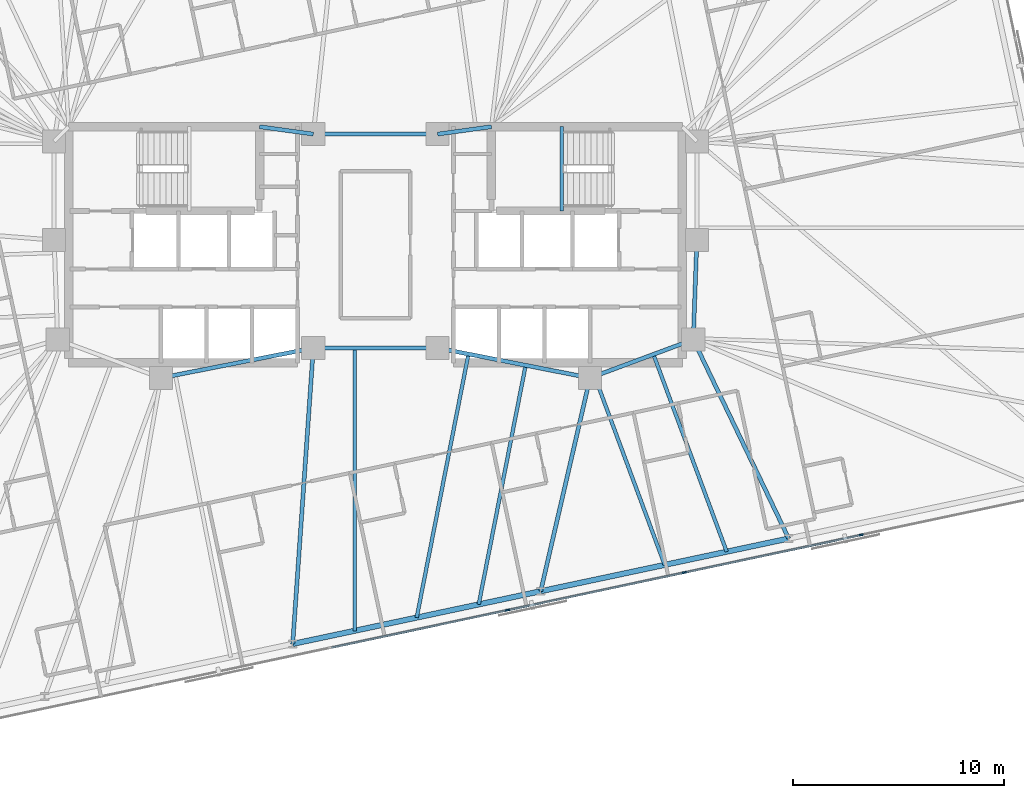
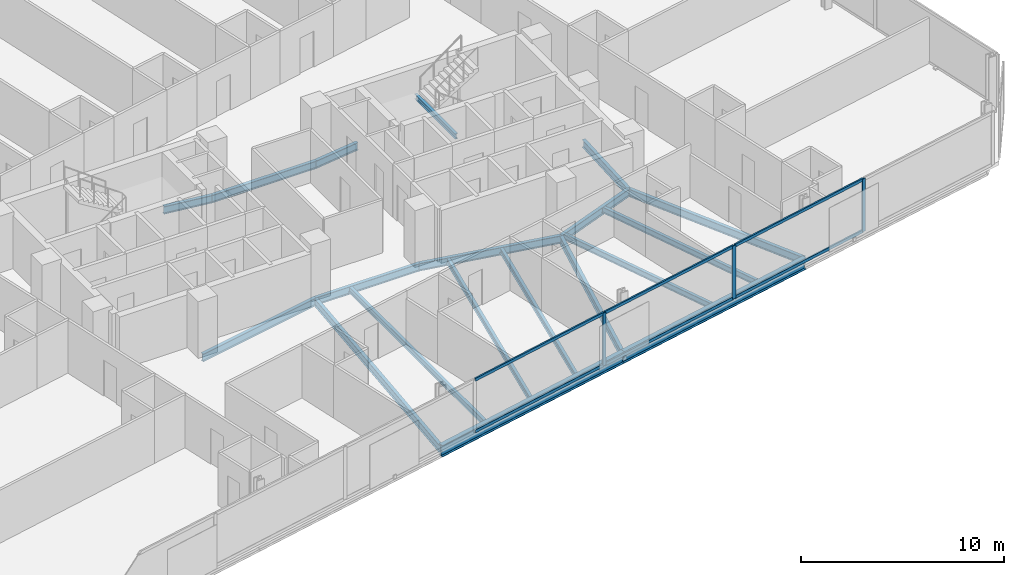
# One storey, part 7 of 20: 19 beams, 9 members, 1 element without a shape of its own.
"""IFC4 building model written with IfcOpenShell, lengths in metres."""

from ifc_helpers import new_model, si_unit, direction, frame, origin, origin_2d, place, context, subcontext, project, spatial, rectangle, i_section, extrude, material, material_profile, profile_set, type_object, element, aggregate, save


model = new_model("IFC4")

# Units and contexts
model_context = context("Model", 3, precision=1e-05, world=origin(), true_north=direction((0.0, 1.0)))
body_context = subcontext(model_context, "Body", "Model", "MODEL_VIEW")
ifc_project = project(units=[si_unit("LENGTHUNIT", "METRE"), si_unit("AREAUNIT", "SQUARE_METRE"), si_unit("VOLUMEUNIT", "CUBIC_METRE"), si_unit("PLANEANGLEUNIT", "RADIAN"), si_unit("MASSUNIT", "GRAM", prefix="KILO")], contexts=[model_context])

# Site, building, storey
site_placement = place(None, origin())
site = spatial("IfcSite", under=ifc_project, at=site_placement, CompositionType="ELEMENT")
building_placement = place(site_placement, origin())
building = spatial("IfcBuilding", under=site, at=building_placement, Name="Menara Jurai Vektor", CompositionType="ELEMENT")
storey_placement = place(building_placement, frame((0.0, 0.0, 178.60009765625)))
storey = spatial("IfcBuildingStorey", under=building, at=storey_placement, Name="L46", CompositionType="ELEMENT", Elevation=178.60009765625)

# Curtain wall, members
ifc_material_1 = material(Name="Anodised Pale Aluminium & Low-E Double Glazing", Category="aluminium")
curtain_wall_type = type_object("IfcCurtainWallType", Name="CW-BLK3", PredefinedType="NOTDEFINED", material=ifc_material_1)
curtain_wall_placement = place(storey_placement, origin())
curtain_wall = element("IfcCurtainWall", 1, at=curtain_wall_placement, inside=storey, type_object=curtain_wall_type, Name="Unitised Curtain Wall L46 F01", PredefinedType="NOTDEFINED")
ifc_material_2 = material(Name="Anodised Pale Aluminium Mullion", Category="aluminium")
ifc_material_profile_1 = material_profile(ifc_material_2, rectangle(XDim=0.0849609375, YDim=0.205078125, at=origin_2d()), Name="ALU MUL 85x205")
ifc_profile_set_1 = profile_set([ifc_material_profile_1], Name="Anodised Pale Aluminium Mullion")
member_type_1 = type_object("IfcMemberType", Name="CW-BLK3-MUL", PredefinedType="MULLION", material=ifc_profile_set_1)
member_1_placement = place(storey_placement, frame((6.264892578125, -17.338623046875, 0.0), z_axis=(0.0, 0.0, 1.0), x_axis=(-0.207911344156, 0.978147674419, 0.0)))
member_1 = element("IfcMember", 2, at=member_1_placement, type_object=member_type_1, Name="CW-03 mullion 5", PredefinedType="MULLION", context=body_context, shape_type="SweptSolid", body=[
    extrude(rectangle(XDim=0.0849609375, YDim=0.205078125, at=origin_2d()), origin(), (0.0, 0.0, 1.0), 3.1748046875),
])
member_2_placement = place(storey_placement, frame((14.65478515625, -15.55517578125, 0.0), z_axis=(0.0, 0.0, 1.0), x_axis=(-0.207911344156, 0.978147674419, 0.0)))
member_2 = element("IfcMember", 3, at=member_2_placement, type_object=member_type_1, Name="CW-03 mullion 6", PredefinedType="MULLION", context=body_context, shape_type="SweptSolid", body=[
    extrude(rectangle(XDim=0.0849609375, YDim=0.205078125, at=origin_2d()), origin(), (0.0, 0.0, 1.0), 3.1748046875),
])
member_3_placement = place(storey_placement, frame((23.04443359375, -13.77197265625, 0.0), z_axis=(0.0, 0.0, 1.0), x_axis=(-0.207911344156, 0.978147674419, 0.0)))
member_3 = element("IfcMember", 4, at=member_3_placement, type_object=member_type_1, Name="CW-03 mullion 7", PredefinedType="MULLION", context=body_context, shape_type="SweptSolid", body=[
    extrude(rectangle(XDim=0.0849609375, YDim=0.205078125, at=origin_2d()), origin(), (0.0, 0.0, 1.0), 3.1748046875),
])
ifc_material_3 = material(Name="Anodised Pale Aluminium Transom", Category="aluminium")
ifc_material_profile_2 = material_profile(ifc_material_3, rectangle(XDim=0.0849609375, YDim=0.175048828125, at=origin_2d()), Name="ALU TRN 85x175")
ifc_profile_set_2 = profile_set([ifc_material_profile_2], Name="Anodised Pale Aluminium Transom")
member_type_2 = type_object("IfcMemberType", Name="CW-BLK3-TRN", PredefinedType="USERDEFINED", material=ifc_profile_set_2)
member_4_placement = place(storey_placement, frame((-2.083251953125, -19.113037109375, 0.04248046875), z_axis=(0.978147743708, 0.207911018178, 0.0), x_axis=(-0.207911018178, 0.978147743708, 0.0)))
member_4 = element("IfcMember", 5, at=member_4_placement, type_object=member_type_2, Name="CW-03 transom 4.1", ObjectType="TRANSOM", PredefinedType="USERDEFINED", context=body_context, shape_type="SweptSolid", body=[
    extrude(rectangle(XDim=0.0849609375, YDim=0.175048828125, at=origin_2d()), origin(), (0.0, 0.0, 1.0), 8.4921875),
])
member_5_placement = place(storey_placement, frame((-2.083251953125, -19.113037109375, 3.13232421875), z_axis=(0.978147743708, 0.207911018178, 0.0), x_axis=(-0.207911018178, 0.978147743708, 0.0)))
member_5 = element("IfcMember", 6, at=member_5_placement, type_object=member_type_2, Name="CW-03 transom 4.2", ObjectType="TRANSOM", PredefinedType="USERDEFINED", context=body_context, shape_type="SweptSolid", body=[
    extrude(rectangle(XDim=0.0849609375, YDim=0.175048828125, at=origin_2d()), origin(), (0.0, 0.0, 1.0), 8.4921875),
])
member_6_placement = place(storey_placement, frame((6.306640625, -17.329833984375, 0.04248046875), z_axis=(0.978146500933, 0.207916864907, 0.0), x_axis=(-0.207916864907, 0.978146500933, 0.0)))
member_6 = element("IfcMember", 7, at=member_6_placement, type_object=member_type_2, Name="CW-03 transom 5.1", ObjectType="TRANSOM", PredefinedType="USERDEFINED", context=body_context, shape_type="SweptSolid", body=[
    extrude(rectangle(XDim=0.0849609375, YDim=0.175048828125, at=origin_2d()), origin(), (0.0, 0.0, 1.0), 8.491943359375),
])
member_7_placement = place(storey_placement, frame((6.306640625, -17.329833984375, 3.13232421875), z_axis=(0.978146500933, 0.207916864907, 0.0), x_axis=(-0.207916864907, 0.978146500933, 0.0)))
member_7 = element("IfcMember", 8, at=member_7_placement, type_object=member_type_2, Name="CW-03 transom 5.2", ObjectType="TRANSOM", PredefinedType="USERDEFINED", context=body_context, shape_type="SweptSolid", body=[
    extrude(rectangle(XDim=0.0849609375, YDim=0.175048828125, at=origin_2d()), origin(), (0.0, 0.0, 1.0), 8.491943359375),
])
member_8_placement = place(storey_placement, frame((14.6962890625, -15.54638671875, 0.04248046875), z_axis=(0.978147743708, 0.207911018178, 0.0), x_axis=(-0.207911018178, 0.978147743708, 0.0)))
member_8 = element("IfcMember", 9, at=member_8_placement, type_object=member_type_2, Name="CW-03 transom 6.1", ObjectType="TRANSOM", PredefinedType="USERDEFINED", context=body_context, shape_type="SweptSolid", body=[
    extrude(rectangle(XDim=0.0849609375, YDim=0.175048828125, at=origin_2d()), origin(), (0.0, 0.0, 1.0), 8.4921875),
])
member_9_placement = place(storey_placement, frame((14.6962890625, -15.54638671875, 3.13232421875), z_axis=(0.978147743708, 0.207911018178, 0.0), x_axis=(-0.207911018178, 0.978147743708, 0.0)))
member_9 = element("IfcMember", 10, at=member_9_placement, type_object=member_type_2, Name="CW-03 transom 6.2", ObjectType="TRANSOM", PredefinedType="USERDEFINED", context=body_context, shape_type="SweptSolid", body=[
    extrude(rectangle(XDim=0.0849609375, YDim=0.175048828125, at=origin_2d()), origin(), (0.0, 0.0, 1.0), 8.4921875),
])
aggregate(curtain_wall, [member_1, member_2, member_3, member_4, member_5, member_6, member_7, member_8, member_9])

# Beams
ifc_material_4 = material(Name="Steel S355", Category="steel")
ifc_material_profile_3 = material_profile(ifc_material_4, i_section(OverallWidth=0.19091796875, OverallDepth=0.4599609375, WebThickness=0.010009765625, FlangeThickness=0.01611328125, FilletRadius=0.010009765625, at=origin_2d()), Name="UKB 457x191x82")
ifc_profile_set_3 = profile_set([ifc_material_profile_3], Name="Steel S355")
beam_type_1 = type_object("IfcBeamType", Name="STR-BM-457", PredefinedType="BEAM", material=ifc_profile_set_3)
beam_1_placement = place(storey_placement, frame((-5.5, 5.60009765625, -0.455078125), z_axis=(0.990706818608, -0.136014703483, 0.0), x_axis=(0.136014703483, 0.990706818608, 0.0)))
element("IfcBeam", 11, at=beam_1_placement, inside=storey, type_object=beam_type_1, Name="Core Ring Header Girder L46-CHW-N2", PredefinedType="BEAM", context=body_context, shape_type="SweptSolid", body=[
    extrude(i_section(OverallWidth=0.19091796875, OverallDepth=0.4599609375, WebThickness=0.010009765625, FlangeThickness=0.01611328125, FilletRadius=0.010009765625, at=origin_2d()), origin(), (0.0, 0.0, 1.0), 2.573974609375),
])
beam_2_placement = place(storey_placement, frame((-10.179931640625, -6.320068359375, -0.455078125), z_axis=(0.981249044334, 0.192744164614, 0.0), x_axis=(-0.192744164614, 0.981249044334, 0.0)))
element("IfcBeam", 12, at=beam_2_placement, inside=storey, type_object=beam_type_1, Name="Core Ring Header Girder L46-CHW-S2", PredefinedType="BEAM", context=body_context, shape_type="SweptSolid", body=[
    extrude(i_section(OverallWidth=0.19091796875, OverallDepth=0.4599609375, WebThickness=0.010009765625, FlangeThickness=0.01611328125, FilletRadius=0.010009765625, at=origin_2d()), origin(), (0.0, 0.0, 1.0), 7.3681640625),
])
beam_3_placement = place(storey_placement, frame((2.949951171875, 5.25, -0.455078125), z_axis=(0.990706818608, 0.136014703483, 0.0), x_axis=(-0.136014703483, 0.990706818608, 0.0)))
element("IfcBeam", 13, at=beam_3_placement, inside=storey, type_object=beam_type_1, Name="Core Ring Header Girder L46-CHE-N1", PredefinedType="BEAM", context=body_context, shape_type="SweptSolid", body=[
    extrude(i_section(OverallWidth=0.19091796875, OverallDepth=0.4599609375, WebThickness=0.010009765625, FlangeThickness=0.01611328125, FilletRadius=0.010009765625, at=origin_2d()), origin(), (0.0, 0.0, 1.0), 2.573974609375),
])
beam_4_placement = place(storey_placement, frame((15.080078125, -4.5, -0.455078125), z_axis=(0.035977314146, 0.999352606874, 0.0), x_axis=(-0.999352606874, 0.035977314146, 0.0)))
element("IfcBeam", 14, at=beam_4_placement, inside=storey, type_object=beam_type_1, Name="Core Ring Header Girder L46-CHE-E2", PredefinedType="BEAM", context=body_context, shape_type="SweptSolid", body=[
    extrude(i_section(OverallWidth=0.19091796875, OverallDepth=0.4599609375, WebThickness=0.010009765625, FlangeThickness=0.01611328125, FilletRadius=0.010009765625, at=origin_2d()), origin(), (0.0, 0.0, 1.0), 4.72314453125),
])
beam_5_placement = place(storey_placement, frame((10.179931640625, -6.320068359375, -0.455078125), z_axis=(0.937424400887, 0.348188874925, 0.0), x_axis=(-0.348188874925, 0.937424400887, 0.0)))
element("IfcBeam", 15, at=beam_5_placement, inside=storey, type_object=beam_type_1, Name="Core Ring Header Girder L46-CHE-S1", PredefinedType="BEAM", context=body_context, shape_type="SweptSolid", body=[
    extrude(i_section(OverallWidth=0.19091796875, OverallDepth=0.4599609375, WebThickness=0.010009765625, FlangeThickness=0.01611328125, FilletRadius=0.010009765625, at=origin_2d()), origin(), (0.0, 0.0, 1.0), 5.227294921875),
])
beam_6_placement = place(storey_placement, frame((2.949951171875, -4.89990234375, -0.455078125), z_axis=(0.981249044334, -0.192744164614, 0.0), x_axis=(0.192744164614, 0.981249044334, 0.0)))
element("IfcBeam", 16, at=beam_6_placement, inside=storey, type_object=beam_type_1, Name="Core Ring Header Girder L46-CHE-S2", PredefinedType="BEAM", context=body_context, shape_type="SweptSolid", body=[
    extrude(i_section(OverallWidth=0.19091796875, OverallDepth=0.4599609375, WebThickness=0.010009765625, FlangeThickness=0.01611328125, FilletRadius=0.010009765625, at=origin_2d()), origin(), (0.0, 0.0, 1.0), 7.3681640625),
])
for number, where, z_axis, x_axis, name in (
    (17, (-2.949951171875, -4.89990234375, -0.455078125), (1.0, 0.0, 0.0), (0.0, 1.0, 0.0), "Core Ring Header Girder L46-CC-1"),
    (18, (-2.949951171875, 5.25, -0.455078125), (1.0, 0.0, 0.0), (0.0, 1.0, 0.0), "Core Ring Header Girder L46-CC-2"),
):
    element("IfcBeam", number, at=place(storey_placement, frame(where, z_axis=z_axis, x_axis=x_axis)), inside=storey, type_object=beam_type_1, Name=name, PredefinedType="BEAM", context=body_context, shape_type="SweptSolid", body=[
        extrude(i_section(OverallWidth=0.19091796875, OverallDepth=0.4599609375, WebThickness=0.010009765625, FlangeThickness=0.01611328125, FilletRadius=0.010009765625, at=origin_2d()), origin(), (0.0, 0.0, 1.0), 5.89990234375),
    ])
beam_7_placement = place(storey_placement, frame((-3.928466796875, -18.94287109375, -0.455078125), z_axis=(0.06951156523, 0.997581145722, 0.0), x_axis=(-0.997581145722, 0.06951156523, 0.0)))
element("IfcBeam", 19, at=beam_7_placement, inside=storey, type_object=beam_type_1, Name="Radial Floor Girder L46-S3", PredefinedType="BEAM", context=body_context, shape_type="SweptSolid", body=[
    extrude(i_section(OverallWidth=0.19091796875, OverallDepth=0.4599609375, WebThickness=0.010009765625, FlangeThickness=0.01611328125, FilletRadius=0.010009765625, at=origin_2d()), origin(), (0.0, 0.0, 1.0), 14.076904296875),
])
beam_8_placement = place(storey_placement, frame((7.83984375, -16.44140625, -0.455078125), z_axis=(0.225261124248, 0.974298427538, 0.0), x_axis=(-0.974298427538, 0.225261124248, 0.0)))
element("IfcBeam", 20, at=beam_8_placement, inside=storey, type_object=beam_type_1, Name="Radial Floor Girder L46-S4", PredefinedType="BEAM", context=body_context, shape_type="SweptSolid", body=[
    extrude(i_section(OverallWidth=0.19091796875, OverallDepth=0.4599609375, WebThickness=0.010009765625, FlangeThickness=0.01611328125, FilletRadius=0.010009765625, at=origin_2d()), origin(), (0.0, 0.0, 1.0), 10.388427734375),
])
beam_9_placement = place(storey_placement, frame((19.608154296875, -13.940185546875, -0.455078125), z_axis=(-0.432481646932, 0.901642736935, 0.0), x_axis=(-0.901642736935, -0.432481646932, 0.0)))
element("IfcBeam", 21, at=beam_9_placement, inside=storey, type_object=beam_type_1, Name="Radial Floor Girder L46-S5", PredefinedType="BEAM", context=body_context, shape_type="SweptSolid", body=[
    extrude(i_section(OverallWidth=0.19091796875, OverallDepth=0.4599609375, WebThickness=0.010009765625, FlangeThickness=0.01611328125, FilletRadius=0.010009765625, at=origin_2d()), origin(), (0.0, 0.0, 1.0), 10.469970703125),
])
ifc_material_profile_4 = material_profile(ifc_material_4, i_section(OverallWidth=0.172119140625, OverallDepth=0.35498046875, WebThickness=0.007080078125, FlangeThickness=0.011962890625, FilletRadius=0.010009765625, at=origin_2d()), Name="UKB 356x171x51")
ifc_profile_set_4 = profile_set([ifc_material_profile_4], Name="Steel S355")
beam_type_2 = type_object("IfcBeamType", Name="STR-JS-356", PredefinedType="JOIST", material=ifc_profile_set_4)
beam_10_placement = place(storey_placement, frame((-0.986328125, -18.3173828125, -0.402587890625), z_axis=(0.0, 1.0, 0.0), x_axis=(-1.0, 0.0, 0.0)))
element("IfcBeam", 22, at=beam_10_placement, inside=storey, type_object=beam_type_2, Name="Radial Secondary Floor Joist L46-JS05", PredefinedType="JOIST", context=body_context, shape_type="SweptSolid", body=[
    extrude(i_section(OverallWidth=0.172119140625, OverallDepth=0.35498046875, WebThickness=0.007080078125, FlangeThickness=0.011962890625, FilletRadius=0.010009765625, at=origin_2d()), origin(), (0.0, 0.0, 1.0), 13.41748046875),
])
beam_11_placement = place(storey_placement, frame((1.955810546875, -17.692138671875, -0.402587890625), z_axis=(0.192721917664, 0.981253413982, 0.0), x_axis=(-0.981253413982, 0.192721917664, 0.0)))
element("IfcBeam", 23, at=beam_11_placement, inside=storey, type_object=beam_type_2, Name="Radial Secondary Floor Joist L46-JS06", PredefinedType="JOIST", context=body_context, shape_type="SweptSolid", body=[
    extrude(i_section(OverallWidth=0.172119140625, OverallDepth=0.35498046875, WebThickness=0.007080078125, FlangeThickness=0.011962890625, FilletRadius=0.010009765625, at=origin_2d()), origin(), (0.0, 0.0, 1.0), 12.744140625),
])
beam_12_placement = place(storey_placement, frame((4.897705078125, -17.06689453125, -0.402587890625), z_axis=(0.19272061905, 0.981253669034, 0.0), x_axis=(-0.981253669034, 0.19272061905, 0.0)))
element("IfcBeam", 24, at=beam_12_placement, inside=storey, type_object=beam_type_2, Name="Radial Secondary Floor Joist L46-JS07", PredefinedType="JOIST", context=body_context, shape_type="SweptSolid", body=[
    extrude(i_section(OverallWidth=0.172119140625, OverallDepth=0.35498046875, WebThickness=0.007080078125, FlangeThickness=0.011962890625, FilletRadius=0.010009765625, at=origin_2d()), origin(), (0.0, 0.0, 1.0), 11.5634765625),
])
beam_13_placement = place(storey_placement, frame((13.72412109375, -15.19091796875, -0.402587890625), z_axis=(-0.348196799641, 0.93742145736, 0.0), x_axis=(-0.93742145736, -0.348196799641, 0.0)))
element("IfcBeam", 25, at=beam_13_placement, inside=storey, type_object=beam_type_2, Name="Radial Secondary Floor Joist L46-JS08", PredefinedType="JOIST", context=body_context, shape_type="SweptSolid", body=[
    extrude(i_section(OverallWidth=0.172119140625, OverallDepth=0.35498046875, WebThickness=0.007080078125, FlangeThickness=0.011962890625, FilletRadius=0.010009765625, at=origin_2d()), origin(), (0.0, 0.0, 1.0), 9.5498046875),
])
beam_14_placement = place(storey_placement, frame((16.666015625, -14.5654296875, -0.402587890625), z_axis=(-0.348180392292, 0.93742755156, 0.0), x_axis=(-0.93742755156, -0.348180392292, 0.0)))
element("IfcBeam", 26, at=beam_14_placement, inside=storey, type_object=beam_type_2, Name="Radial Secondary Floor Joist L46-JS09", PredefinedType="JOIST", context=body_context, shape_type="SweptSolid", body=[
    extrude(i_section(OverallWidth=0.172119140625, OverallDepth=0.35498046875, WebThickness=0.007080078125, FlangeThickness=0.011962890625, FilletRadius=0.010009765625, at=origin_2d()), origin(), (0.0, 0.0, 1.0), 9.98779296875),
])
ifc_material_profile_5 = material_profile(ifc_material_4, i_section(OverallWidth=0.1650390625, OverallDepth=0.302978515625, WebThickness=0.006103515625, FlangeThickness=0.010009765625, FilletRadius=0.009033203125, at=origin_2d()), Name="UKB 305x165x40")
ifc_profile_set_5 = profile_set([ifc_material_profile_5], Name="Steel S355")
beam_type_3 = type_object("IfcBeamType", Name="STR-LN-305", PredefinedType="LINTEL", material=ifc_profile_set_5)
beam_15_placement = place(storey_placement, frame((8.830078125, 1.60009765625, 1.348388671875), z_axis=(0.0, 1.0, 0.0), x_axis=(-1.0, 0.0, 0.0)))
element("IfcBeam", 27, at=beam_15_placement, inside=storey, type_object=beam_type_3, Name="Stair Half-Landing Nosing Trimmer ST2-1 L46", PredefinedType="LINTEL", context=body_context, shape_type="SweptSolid", body=[
    extrude(i_section(OverallWidth=0.1650390625, OverallDepth=0.302978515625, WebThickness=0.006103515625, FlangeThickness=0.010009765625, FilletRadius=0.009033203125, at=origin_2d()), origin(), (0.0, 0.0, 1.0), 4.0),
])
ifc_material_5 = material(Name="Steel S460", Category="steel")
ifc_material_profile_6 = material_profile(ifc_material_5, i_section(OverallWidth=0.256103515625, OverallDepth=0.693115234375, WebThickness=0.013916015625, FlangeThickness=0.02392578125, FilletRadius=0.014892578125, at=origin_2d()), Name="UKB 686x254x170")
ifc_profile_set_6 = profile_set([ifc_material_profile_6], Name="Steel S460")
beam_type_4 = type_object("IfcBeamType", Name="STR-SP-686", PredefinedType="SPANDREL", material=ifc_profile_set_6)
for number, where, z_axis, x_axis, name in (
    (28, (-3.928466796875, -18.94287109375, -0.571533203125), (0.978147039247, 0.207914332389, 0.0), (-0.207914332389, 0.978147039247, 0.0), "Exoskeleton Spandrel Beam L46-03"),
    (29, (7.83984375, -16.44140625, -0.571533203125), (0.978151165921, 0.207894917222, 0.0), (-0.207894917222, 0.978151165921, 0.0), "Exoskeleton Spandrel Beam L46-04"),
):
    element("IfcBeam", number, at=place(storey_placement, frame(where, z_axis=z_axis, x_axis=x_axis)), inside=storey, type_object=beam_type_4, Name=name, PredefinedType="SPANDREL", context=body_context, shape_type="SweptSolid", body=[
        extrude(i_section(OverallWidth=0.256103515625, OverallDepth=0.693115234375, WebThickness=0.013916015625, FlangeThickness=0.02392578125, FilletRadius=0.014892578125, at=origin_2d()), origin(), (0.0, 0.0, 1.0), 12.03125),
    ])

save(model, "model.ifc")
